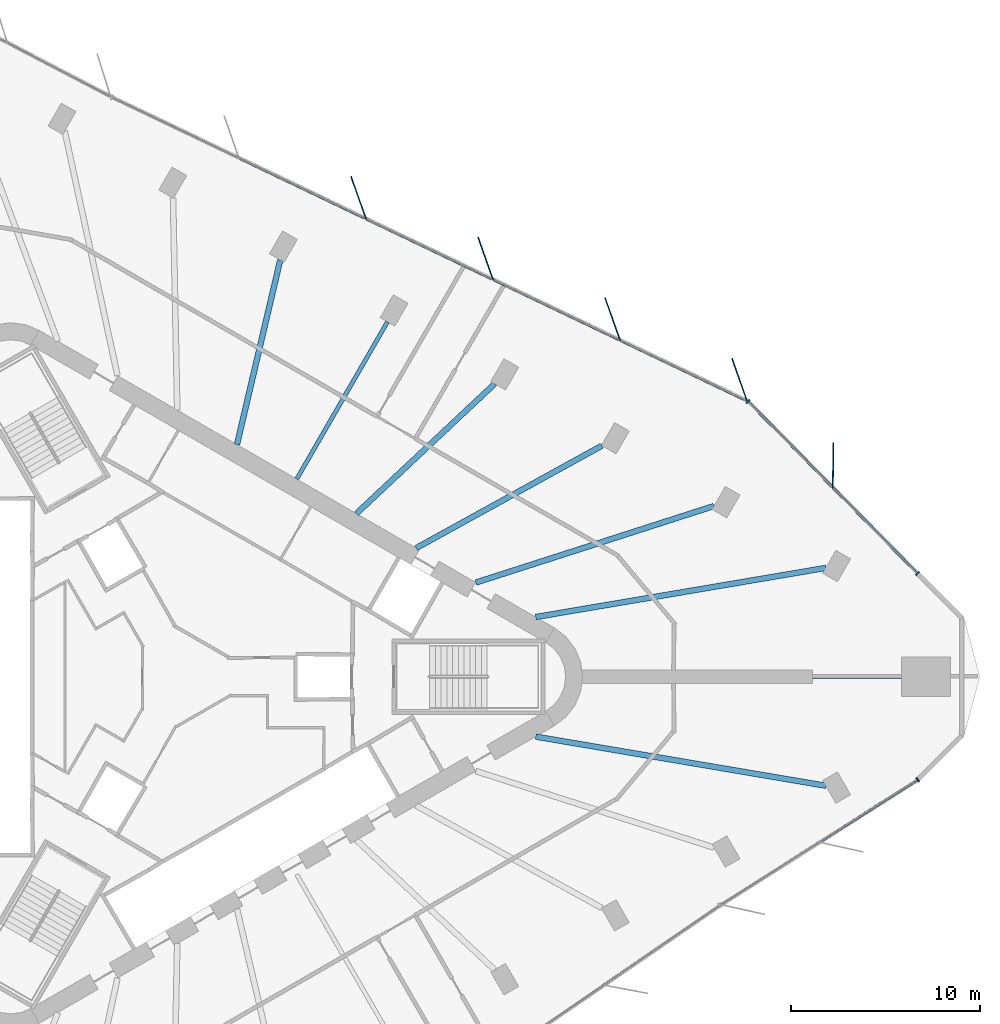
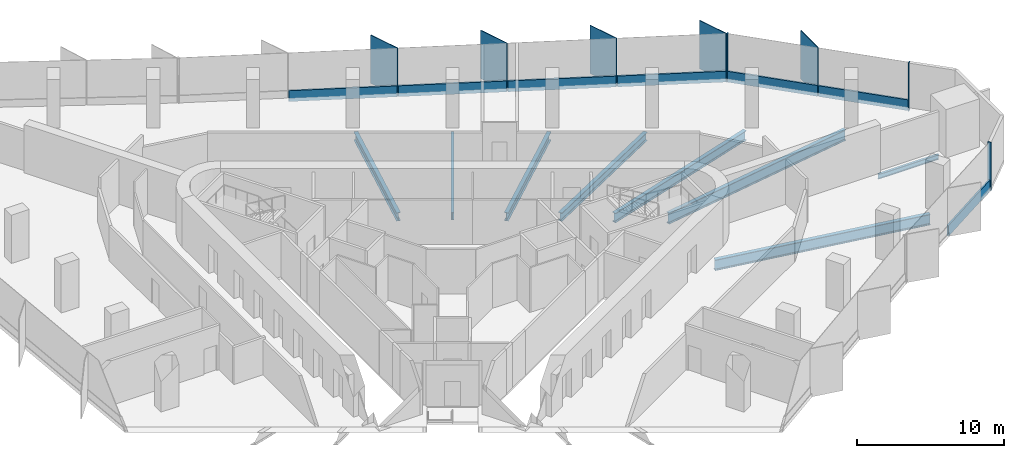
# One storey, part 5 of 13: 15 members, 8 beams, 3 elements without a shape of their own.
"""IFC4 building model written with IfcOpenShell, lengths in metres."""

from ifc_helpers import new_model, si_unit, direction, frame, origin, origin_2d, place, context, subcontext, project, spatial, rectangle, i_section, extrude, material, material_profile, profile_set, type_object, element, aggregate, save


model = new_model("IFC4")

# Units and contexts
model_context = context("Model", 3, precision=1e-05, world=origin(), true_north=direction((0.0, 1.0)))
body_context = subcontext(model_context, "Body", "Model", "MODEL_VIEW")
ifc_project = project(units=[si_unit("LENGTHUNIT", "METRE"), si_unit("AREAUNIT", "SQUARE_METRE"), si_unit("VOLUMEUNIT", "CUBIC_METRE"), si_unit("PLANEANGLEUNIT", "RADIAN"), si_unit("MASSUNIT", "GRAM", prefix="KILO")], contexts=[model_context])

# Site, building, storey
site_placement = place(None, origin())
site = spatial("IfcSite", under=ifc_project, at=site_placement, CompositionType="ELEMENT")
building_placement = place(site_placement, origin())
building = spatial("IfcBuilding", under=site, at=building_placement, Name="Tanit Gate Tower", CompositionType="ELEMENT")
storey_placement = place(building_placement, frame((0.0, 0.0, 185.199951171875)))
storey = spatial("IfcBuildingStorey", under=building, at=storey_placement, Name="L40", CompositionType="ELEMENT", Elevation=185.199951171875)

# Curtain wall, member
ifc_material_1 = material(Name="Aluminium bronze anodised and glass", Category="aluminium")
curtain_wall_type = type_object("IfcCurtainWallType", Name="Curtain wall typical mid", PredefinedType="NOTDEFINED", material=ifc_material_1)
curtain_wall_1_placement = place(storey_placement, origin())
curtain_wall_1 = element("IfcCurtainWall", 1, at=curtain_wall_1_placement, inside=storey, type_object=curtain_wall_type, Name="Curtain wall L40 NE1", PredefinedType="NOTDEFINED")
ifc_material_2 = material(Name="Aluminium bronze anodised", Category="aluminium")
ifc_material_profile_1 = material_profile(ifc_material_2, rectangle(XDim=2.39990234375, YDim=0.055908203125, at=origin_2d()), Name="56x2400 bronze fin mullion")
ifc_profile_set_1 = profile_set([ifc_material_profile_1], Name="Aluminium bronze anodised")
member_type_1 = type_object("IfcMemberType", Name="FIN MULLION 56x2400 bronze", PredefinedType="MULLION", material=ifc_profile_set_1)
member_1_placement = place(storey_placement, frame((34.4716796875, 11.202392578125, -0.300048828125), z_axis=(0.0, 0.0, 1.0), x_axis=(-0.007640135799, -0.999970813737, 0.0)))
member_1 = element("IfcMember", 2, at=member_1_placement, type_object=member_type_1, Name="Fin mullion L40 NE1.2", PredefinedType="MULLION", context=body_context, shape_type="SweptSolid", body=[
    extrude(rectangle(XDim=2.39990234375, YDim=0.055908203125, at=origin_2d()), origin(), (0.0, 0.0, 1.0), 4.0),
])

# Curtain wall, members
curtain_wall_2_placement = place(storey_placement, origin())
curtain_wall_2 = element("IfcCurtainWall", 3, at=curtain_wall_2_placement, inside=storey, type_object=curtain_wall_type, Name="Curtain wall L40 NE2", PredefinedType="NOTDEFINED")
member_2_placement = place(storey_placement, frame((29.517822265625, 15.738037109375, -0.300048828125), z_axis=(0.0, 0.0, 1.0), x_axis=(0.333090099539, -0.94289500242, 0.0)))
member_2 = element("IfcMember", 4, at=member_2_placement, type_object=member_type_1, Name="Fin mullion L40 NE2.1", PredefinedType="MULLION", context=body_context, shape_type="SweptSolid", body=[
    extrude(rectangle(XDim=2.39990234375, YDim=0.055908203125, at=origin_2d()), origin(), (0.0, 0.0, 1.0), 4.0),
])
member_3_placement = place(storey_placement, frame((22.78759765625, 18.95458984375, -0.300048828125), z_axis=(0.0, 0.0, 1.0), x_axis=(0.333090099539, -0.94289500242, 0.0)))
member_3 = element("IfcMember", 5, at=member_3_placement, type_object=member_type_1, Name="Fin mullion L40 NE2.2", PredefinedType="MULLION", context=body_context, shape_type="SweptSolid", body=[
    extrude(rectangle(XDim=2.39990234375, YDim=0.055908203125, at=origin_2d()), origin(), (0.0, 0.0, 1.0), 4.0),
])
member_4_placement = place(storey_placement, frame((16.05712890625, 22.171142578125, -0.300048828125), z_axis=(0.0, 0.0, 1.0), x_axis=(0.333090099539, -0.94289500242, 0.0)))
member_4 = element("IfcMember", 6, at=member_4_placement, type_object=member_type_1, Name="Fin mullion L40 NE2.3", PredefinedType="MULLION", context=body_context, shape_type="SweptSolid", body=[
    extrude(rectangle(XDim=2.39990234375, YDim=0.055908203125, at=origin_2d()), origin(), (0.0, 0.0, 1.0), 4.0),
])
member_5_placement = place(storey_placement, frame((9.326904296875, 25.387451171875, -0.300048828125), z_axis=(0.0, 0.0, 1.0), x_axis=(0.333090099539, -0.94289500242, 0.0)))
member_5 = element("IfcMember", 7, at=member_5_placement, type_object=member_type_1, Name="Fin mullion L40 NE2.4", PredefinedType="MULLION", context=body_context, shape_type="SweptSolid", body=[
    extrude(rectangle(XDim=2.39990234375, YDim=0.055908203125, at=origin_2d()), origin(), (0.0, 0.0, 1.0), 4.0),
])

# Member
ifc_material_3 = material(Name="Aluminium bronze anodised", Category="aluminium")
ifc_material_profile_2 = material_profile(ifc_material_3, rectangle(XDim=0.260009765625, YDim=0.080078125, at=origin_2d()), Name="80x260 bronze mullion")
ifc_profile_set_2 = profile_set([ifc_material_profile_2], Name="Aluminium bronze anodised")
member_type_2 = type_object("IfcMemberType", Name="Mullion 80x260 typical mid", PredefinedType="MULLION", material=ifc_profile_set_2)
member_6_placement = place(storey_placement, frame((38.95068359375, 5.466552734375, -0.300048828125), z_axis=(0.0, 0.0, 1.0), x_axis=(-0.712488535215, -0.701683751549, 0.0)))
member_6 = element("IfcMember", 8, at=member_6_placement, type_object=member_type_2, Name="Mullion L40 NE1.1", PredefinedType="MULLION", context=body_context, shape_type="SweptSolid", body=[
    extrude(rectangle(XDim=0.260009765625, YDim=0.080078125, at=origin_2d()), origin(), (0.0, 0.0, 1.0), 4.0),
])

member_7_placement = place(storey_placement, frame((29.974609375, 14.580810546875, -0.300048828125), z_axis=(0.0, 0.0, 1.0), x_axis=(-0.712488535215, -0.701683751549, 0.0)))
member_7 = element("IfcMember", 9, at=member_7_placement, type_object=member_type_2, Name="Mullion L40 NE1.3", PredefinedType="MULLION", context=body_context, shape_type="SweptSolid", body=[
    extrude(rectangle(XDim=0.260009765625, YDim=0.080078125, at=origin_2d()), origin(), (0.0, 0.0, 1.0), 4.0),
])

# Curtain wall, member
curtain_wall_3_placement = place(storey_placement, origin())
curtain_wall_3 = element("IfcCurtainWall", 10, at=curtain_wall_3_placement, inside=storey, type_object=curtain_wall_type, Name="Curtain wall L40 SE3", PredefinedType="NOTDEFINED")
member_8_placement = place(storey_placement, frame((38.95458984375, -5.449951171875, -0.300048828125), z_axis=(0.0, 0.0, 1.0), x_axis=(-0.536190991102, 0.844096689403, 0.0)))
member_8 = element("IfcMember", 11, at=member_8_placement, type_object=member_type_2, Name="Mullion L40 SE3.3", PredefinedType="MULLION", context=body_context, shape_type="SweptSolid", body=[
    extrude(rectangle(XDim=0.260009765625, YDim=0.080078125, at=origin_2d()), origin(), (0.0, 0.0, 1.0), 4.0),
])

# Beams
ifc_material_4 = material(Name="Steel S355", Category="steel")
ifc_material_profile_3 = material_profile(ifc_material_4, i_section(OverallWidth=0.300048828125, OverallDepth=0.68994140625, WebThickness=0.014404296875, FlangeThickness=0.027099609375, FilletRadius=0.027099609375, at=origin_2d()), Name="HEA 700")
ifc_profile_set_3 = profile_set([ifc_material_profile_3], Name="Steel S355")
beam_type_1 = type_object("IfcBeamType", Name="RADIAL GIRDER HEA 700 S355", PredefinedType="BEAM", material=ifc_profile_set_3)
beam_1_placement = place(storey_placement, frame((22.21875, 12.245849609375, -0.64501953125), z_axis=(-0.875791934308, -0.482688810519, 0.0), x_axis=(0.482688810519, -0.875791934308, 0.0)))
element("IfcBeam", 12, at=beam_1_placement, inside=storey, type_object=beam_type_1, Name="RADIAL GIRDER", PredefinedType="BEAM", context=body_context, shape_type="SweptSolid", body=[
    extrude(i_section(OverallWidth=0.300048828125, OverallDepth=0.68994140625, WebThickness=0.014404296875, FlangeThickness=0.027099609375, FilletRadius=0.027099609375, at=origin_2d()), origin(), (0.0, 0.0, 1.0), 11.230712890625),
])
for number, where, z_axis, x_axis, name in (
    (13, (16.5380859375, 15.525634765625, -0.64501953125), (-0.72907377567, -0.684435117181, 0.0), (0.684435117181, -0.72907377567, 0.0), "RADIAL GIRDER"),
    (14, (5.176513671875, 22.085205078125, -0.64501953125), (-0.228201765942, -0.973613862895, 0.0), (0.973613862895, -0.228201765942, 0.0), "RADIAL GIRDER"),
):
    element("IfcBeam", number, at=place(storey_placement, frame(where, z_axis=z_axis, x_axis=x_axis)), inside=storey, type_object=beam_type_1, Name=name, PredefinedType="BEAM", context=body_context, shape_type="SweptSolid", body=[
        extrude(i_section(OverallWidth=0.300048828125, OverallDepth=0.68994140625, WebThickness=0.014404296875, FlangeThickness=0.027099609375, FilletRadius=0.027099609375, at=origin_2d()), origin(), (0.0, 0.0, 1.0), 10.04150390625),
    ])
ifc_material_5 = material(Name="Steel S355", Category="steel")
ifc_material_profile_4 = material_profile(ifc_material_5, i_section(OverallWidth=0.300048828125, OverallDepth=0.7900390625, WebThickness=0.014892578125, FlangeThickness=0.028076171875, FilletRadius=0.030029296875, at=origin_2d()), Name="HEA 800")
ifc_profile_set_4 = profile_set([ifc_material_profile_4], Name="Steel S355")
beam_type_2 = type_object("IfcBeamType", Name="RADIAL GIRDER HEA 800 S355", PredefinedType="BEAM", material=ifc_profile_set_4)
beam_2_placement = place(storey_placement, frame((28.160888671875, 9.05029296875, -0.695068359375), z_axis=(-0.952041216239, -0.305969806651, 0.0), x_axis=(0.305969806651, -0.952041216239, 0.0)))
element("IfcBeam", 15, at=beam_2_placement, inside=storey, type_object=beam_type_2, Name="RADIAL GIRDER", PredefinedType="BEAM", context=body_context, shape_type="SweptSolid", body=[
    extrude(i_section(OverallWidth=0.300048828125, OverallDepth=0.7900390625, WebThickness=0.014892578125, FlangeThickness=0.028076171875, FilletRadius=0.030029296875, at=origin_2d()), origin(), (0.0, 0.0, 1.0), 13.2470703125),
])
ifc_material_6 = material(Name="Steel S355", Category="steel")
ifc_material_profile_5 = material_profile(ifc_material_6, i_section(OverallWidth=0.300048828125, OverallDepth=0.889892578125, WebThickness=0.01611328125, FlangeThickness=0.030029296875, FilletRadius=0.030029296875, at=origin_2d()), Name="HEA 900")
ifc_profile_set_5 = profile_set([ifc_material_profile_5], Name="Steel S355")
beam_type_3 = type_object("IfcBeamType", Name="RADIAL GIRDER HEA 900 S355", PredefinedType="BEAM", material=ifc_profile_set_5)
for number, where, z_axis, x_axis, name in (
    (16, (34.0869140625, -5.772216796875, -0.744873046875), (-0.985963996178, 0.1669580733, 0.0), (-0.1669580733, -0.985963996178, 0.0), "RADIAL GIRDER"),
    (17, (34.0869140625, 5.772216796875, -0.744873046875), (-0.985963996178, -0.1669580733, 0.0), (0.1669580733, -0.985963996178, 0.0), "RADIAL GIRDER"),
):
    element("IfcBeam", number, at=place(storey_placement, frame(where, z_axis=z_axis, x_axis=x_axis)), inside=storey, type_object=beam_type_3, Name=name, PredefinedType="BEAM", context=body_context, shape_type="SweptSolid", body=[
        extrude(i_section(OverallWidth=0.300048828125, OverallDepth=0.889892578125, WebThickness=0.01611328125, FlangeThickness=0.030029296875, FilletRadius=0.030029296875, at=origin_2d()), origin(), (0.0, 0.0, 1.0), 15.5908203125),
    ])
ifc_material_7 = material(Name="Steel S355", Category="steel")
ifc_material_profile_6 = material_profile(ifc_material_7, i_section(OverallWidth=0.179931640625, OverallDepth=0.39990234375, WebThickness=0.008544921875, FlangeThickness=0.013427734375, FilletRadius=0.02099609375, at=origin_2d()), Name="IPE 400")
ifc_profile_set_6 = profile_set([ifc_material_profile_6], Name="Steel S355")
beam_type_4 = type_object("IfcBeamType", Name="RADIAL GIRDER IPE 400 S355", PredefinedType="BEAM", material=ifc_profile_set_6)
beam_3_placement = place(storey_placement, frame((38.102294921875, 0.0, -0.5), z_axis=(-1.0, 0.0, 0.0), x_axis=(0.0, -1.0, 0.0)))
element("IfcBeam", 18, at=beam_3_placement, inside=storey, type_object=beam_type_4, Name="RADIAL GIRDER", PredefinedType="BEAM", context=body_context, shape_type="SweptSolid", body=[
    extrude(i_section(OverallWidth=0.179931640625, OverallDepth=0.39990234375, WebThickness=0.008544921875, FlangeThickness=0.013427734375, FilletRadius=0.02099609375, at=origin_2d()), origin(), (0.0, 0.0, 1.0), 4.732666015625),
])
ifc_material_8 = material(Name="Steel S355", Category="steel")
ifc_material_profile_7 = material_profile(ifc_material_8, i_section(OverallWidth=0.219970703125, OverallDepth=0.60009765625, WebThickness=0.011962890625, FlangeThickness=0.01904296875, FilletRadius=0.02392578125, at=origin_2d()), Name="IPE 600")
ifc_profile_set_7 = profile_set([ifc_material_profile_7], Name="Steel S355")
beam_type_5 = type_object("IfcBeamType", Name="RADIAL GIRDER IPE 600 S355", PredefinedType="BEAM", material=ifc_profile_set_7)
beam_4_placement = place(storey_placement, frame((10.857421875, 18.805419921875, -0.599853515625), z_axis=(-0.500009724617, -0.866019789201, 0.0), x_axis=(0.866019789201, -0.500009724617, 0.0)))
element("IfcBeam", 19, at=beam_4_placement, inside=storey, type_object=beam_type_5, Name="RADIAL GIRDER", PredefinedType="BEAM", context=body_context, shape_type="SweptSolid", body=[
    extrude(i_section(OverallWidth=0.219970703125, OverallDepth=0.60009765625, WebThickness=0.011962890625, FlangeThickness=0.01904296875, FilletRadius=0.02392578125, at=origin_2d()), origin(), (0.0, 0.0, 1.0), 9.612548828125),
])

# Member
ifc_material_9 = material(Name="Aluminium bronze anodised", Category="aluminium")
ifc_material_profile_8 = material_profile(ifc_material_9, rectangle(XDim=0.139892578125, YDim=0.89990234375, at=origin_2d()), Name="140x900 bronze transom")
ifc_profile_set_8 = profile_set([ifc_material_profile_8], Name="Aluminium bronze anodised")
member_type_3 = type_object("IfcMemberType", Name="Transom 140x900 typical mid", PredefinedType="USERDEFINED", material=ifc_profile_set_8)
member_9_placement = place(storey_placement, frame((38.922607421875, 5.4951171875, 0.150146484375), z_axis=(-0.70167460233, 0.712497545571, 0.0), x_axis=(-0.712497545571, -0.70167460233, 0.0)))
member_9 = element("IfcMember", 20, at=member_9_placement, type_object=member_type_3, Name="Transom L40 NE1.1", ObjectType="TRANSOM", PredefinedType="USERDEFINED", context=body_context, shape_type="SweptSolid", body=[
    extrude(rectangle(XDim=0.139892578125, YDim=0.89990234375, at=origin_2d()), origin(), (0.0, 0.0, 1.0), 6.316162109375),
])

member_10_placement = place(storey_placement, frame((34.4345703125, 10.05224609375, 0.150146484375), z_axis=(-0.70167460233, 0.712497545571, 0.0), x_axis=(-0.712497545571, -0.70167460233, 0.0)))
member_10 = element("IfcMember", 21, at=member_10_placement, type_object=member_type_3, Name="Transom L40 NE1.2", ObjectType="TRANSOM", PredefinedType="USERDEFINED", context=body_context, shape_type="SweptSolid", body=[
    extrude(rectangle(XDim=0.139892578125, YDim=0.89990234375, at=origin_2d()), origin(), (0.0, 0.0, 1.0), 6.316162109375),
])

aggregate(curtain_wall_1, [member_6, member_1, member_7, member_9, member_10])

member_11_placement = place(storey_placement, frame((29.874267578125, 14.643798828125, 0.150146484375), z_axis=(-0.902245609751, 0.431222517601, 0.0), x_axis=(-0.431222517601, -0.902245609751, 0.0)))
member_11 = element("IfcMember", 22, at=member_11_placement, type_object=member_type_3, Name="Transom L40 NE2.1", ObjectType="TRANSOM", PredefinedType="USERDEFINED", context=body_context, shape_type="SweptSolid", body=[
    extrude(rectangle(XDim=0.139892578125, YDim=0.89990234375, at=origin_2d()), origin(), (0.0, 0.0, 1.0), 7.37939453125),
])

member_12_placement = place(storey_placement, frame((23.14404296875, 17.8603515625, 0.150146484375), z_axis=(-0.902264632837, 0.431182713397, 0.0), x_axis=(-0.431182713397, -0.902264632837, 0.0)))
member_12 = element("IfcMember", 23, at=member_12_placement, type_object=member_type_3, Name="Transom L40 NE2.2", ObjectType="TRANSOM", PredefinedType="USERDEFINED", context=body_context, shape_type="SweptSolid", body=[
    extrude(rectangle(XDim=0.139892578125, YDim=0.89990234375, at=origin_2d()), origin(), (0.0, 0.0, 1.0), 7.37939453125),
])

member_13_placement = place(storey_placement, frame((16.413818359375, 21.076904296875, 0.150146484375), z_axis=(-0.902264632837, 0.431182713397, 0.0), x_axis=(-0.431182713397, -0.902264632837, 0.0)))
member_13 = element("IfcMember", 24, at=member_13_placement, type_object=member_type_3, Name="Transom L40 NE2.3", ObjectType="TRANSOM", PredefinedType="USERDEFINED", context=body_context, shape_type="SweptSolid", body=[
    extrude(rectangle(XDim=0.139892578125, YDim=0.89990234375, at=origin_2d()), origin(), (0.0, 0.0, 1.0), 7.37939453125),
])

member_14_placement = place(storey_placement, frame((9.683349609375, 24.293212890625, 0.150146484375), z_axis=(-0.902245609751, 0.431222517601, 0.0), x_axis=(-0.431222517601, -0.902245609751, 0.0)))
member_14 = element("IfcMember", 25, at=member_14_placement, type_object=member_type_3, Name="Transom L40 NE2.4", ObjectType="TRANSOM", PredefinedType="USERDEFINED", context=body_context, shape_type="SweptSolid", body=[
    extrude(rectangle(XDim=0.139892578125, YDim=0.89990234375, at=origin_2d()), origin(), (0.0, 0.0, 1.0), 7.37939453125),
])

aggregate(curtain_wall_2, [member_2, member_3, member_4, member_5, member_11, member_12, member_13, member_14])

member_15_placement = place(storey_placement, frame((33.777099609375, -8.73876953125, 0.150146484375), z_axis=(0.844106613842, 0.536175367272, 0.0), x_axis=(-0.536175367272, 0.844106613842, 0.0)))
member_15 = element("IfcMember", 26, at=member_15_placement, type_object=member_type_3, Name="Transom L40 SE3.2", ObjectType="TRANSOM", PredefinedType="USERDEFINED", context=body_context, shape_type="SweptSolid", body=[
    extrude(rectangle(XDim=0.139892578125, YDim=0.89990234375, at=origin_2d()), origin(), (0.0, 0.0, 1.0), 6.09375),
])

aggregate(curtain_wall_3, [member_8, member_15])

save(model, "model.ifc")
